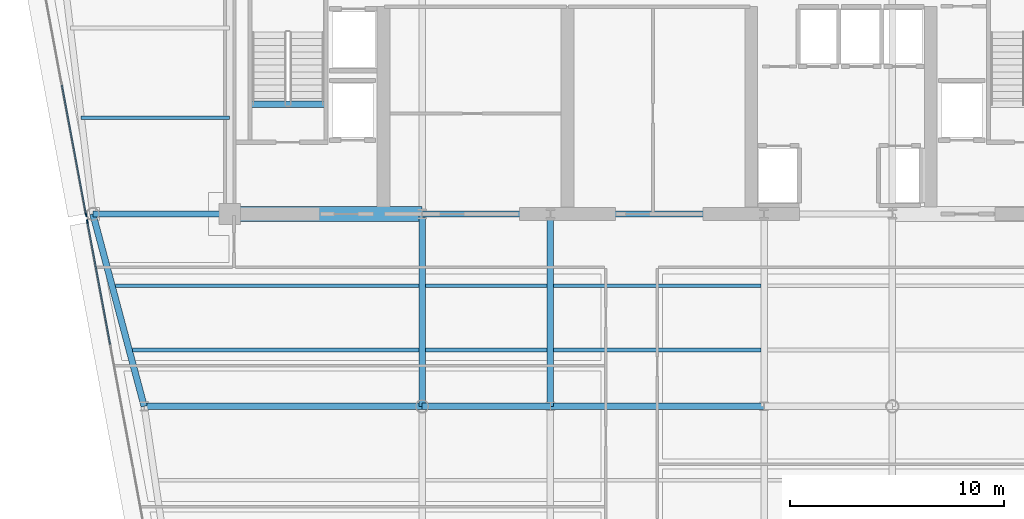
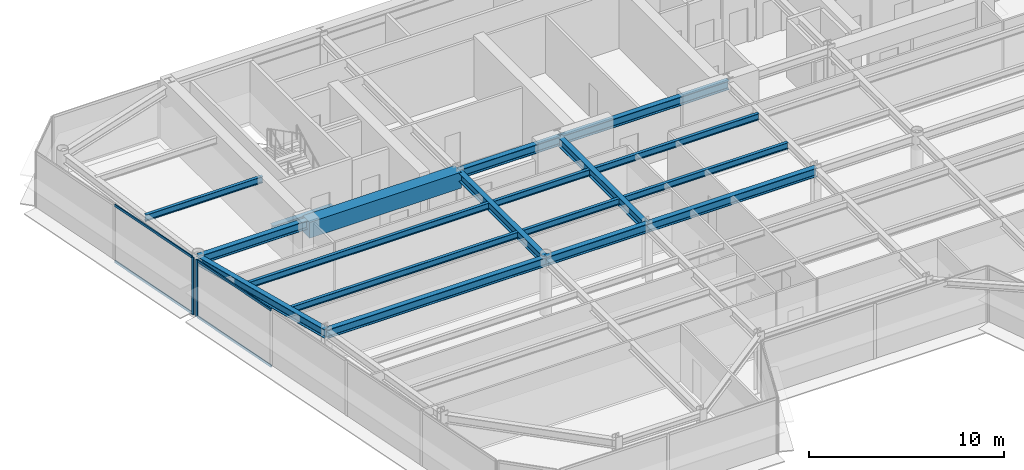
# One storey, part 4 of 18: 18 beams, 6 members, 2 elements without a shape of their own.
"""IFC4 building model written with IfcOpenShell, lengths in metres."""

from ifc_helpers import new_model, si_unit, direction, frame, origin, origin_2d, place, context, subcontext, project, spatial, rectangle, i_section, extrude, source, transform, mapped, material, layer, layer_set, material_profile, profile_set, type_object, element, aggregate, save


model = new_model("IFC4")

# Units and contexts
model_context = context("Model", 3, precision=1e-05, world=origin(), true_north=direction((0.0, 1.0)))
body_context = subcontext(model_context, "Body", "Model", "MODEL_VIEW")
ifc_project = project(units=[si_unit("LENGTHUNIT", "METRE"), si_unit("AREAUNIT", "SQUARE_METRE"), si_unit("VOLUMEUNIT", "CUBIC_METRE"), si_unit("PLANEANGLEUNIT", "RADIAN"), si_unit("MASSUNIT", "GRAM", prefix="KILO")], contexts=[model_context])

# Site, building, storey
site_placement = place(None, origin())
site = spatial("IfcSite", under=ifc_project, at=site_placement, CompositionType="ELEMENT")
building_placement = place(site_placement, origin())
building = spatial("IfcBuilding", under=site, at=building_placement, Name="Vaeldorn Concourse Tower", CompositionType="ELEMENT")
storey_placement = place(building_placement, frame((0.0, 0.0, 242.199951171875)))
storey = spatial("IfcBuildingStorey", under=building, at=storey_placement, Name="L62", CompositionType="ELEMENT", Elevation=242.199951171875)

# Beams
ifc_material_1 = material(Name="Concrete C50/60", Category="concrete")
ifc_material_profile_1 = material_profile(ifc_material_1, rectangle(XDim=0.699951171875, YDim=1.0, at=origin_2d()), Name="RC 700x1000")
ifc_profile_set_1 = profile_set([ifc_material_profile_1], Name="Concrete C50/60")
beam_type_1 = type_object("IfcBeamType", Name="BM-CB-RC700", PredefinedType="BEAM", material=ifc_profile_set_1)
shared_shape_1 = source(origin(), body_context, "Body", "SweptSolid", [
    extrude(rectangle(XDim=0.699951171875, YDim=1.0, at=origin_2d()), origin(), (0.0, 0.0, 1.0), 9.0),
])
beam_1_placement = place(storey_placement, frame((14.0, 36.5, 3.080078125), z_axis=(1.0, 0.0, 0.0), x_axis=(0.0, 1.0, 0.0)))
element("IfcBeam", 1, at=beam_1_placement, inside=storey, type_object=beam_type_1, Name="Core Coupling Beam L62-1", PredefinedType="BEAM", context=body_context, shape_type="MappedRepresentation", body=[
    mapped(shared_shape_1, transform((0.0, 0.0, 0.0), scale=1.0)),
])
ifc_material_2 = material(Name="Steel S355", Category="steel")
ifc_material_profile_2 = material_profile(ifc_material_2, i_section(OverallWidth=0.300048828125, OverallDepth=0.340087890625, WebThickness=0.011962890625, FlangeThickness=0.021484375, FilletRadius=0.027099609375, at=origin_2d()), Name="HEB 340")
ifc_profile_set_2 = profile_set([ifc_material_profile_2], Name="Steel S355")
beam_type_2 = type_object("IfcBeamType", Name="BM-ST-TRIM", PredefinedType="BEAM", material=ifc_profile_set_2)
shared_shape_2 = source(origin(), body_context, "Body", "SweptSolid", [
    extrude(i_section(OverallWidth=0.300048828125, OverallDepth=0.340087890625, WebThickness=0.011962890625, FlangeThickness=0.021484375, FilletRadius=0.027099609375, at=origin_2d()), origin(), (0.0, 0.0, 1.0), 3.590087890625),
])
beam_2_placement = place(storey_placement, frame((14.929931640625, 41.639892578125, -0.389892578125), z_axis=(1.0, 0.0, 0.0), x_axis=(0.0, 1.0, 0.0)))
element("IfcBeam", 2, at=beam_2_placement, inside=storey, type_object=beam_type_2, Name="Stair Landing Trimmer Beam ST-1 L62", PredefinedType="BEAM", context=body_context, shape_type="MappedRepresentation", body=[
    mapped(shared_shape_2, transform((0.0, 0.0, 0.0), scale=1.0)),
])
ifc_material_profile_3 = material_profile(ifc_material_2, i_section(OverallWidth=0.179931640625, OverallDepth=0.39990234375, WebThickness=0.008544921875, FlangeThickness=0.013427734375, FilletRadius=0.02099609375, at=origin_2d()), Name="IPE 400")
ifc_profile_set_3 = profile_set([ifc_material_profile_3], Name="Steel S355")
beam_type_3 = type_object("IfcBeamType", Name="BM-JS-IPE400", PredefinedType="JOIST", material=ifc_profile_set_3)
shared_shape_3 = source(origin(), body_context, "Body", "SweptSolid", [
    extrude(i_section(OverallWidth=0.179931640625, OverallDepth=0.39990234375, WebThickness=0.008544921875, FlangeThickness=0.013427734375, FilletRadius=0.02099609375, at=origin_2d()), origin(), (0.0, 0.0, 1.0), 5.7001953125),
])
for number, where, z_axis, x_axis, name in (
    (3, (23.14990234375, 30.139892578125, 3.380126953125), (1.0, 0.0, 0.0), (0.0, 1.0, 0.0), "Beam JS-L62-W2-301"),
    (4, (23.14990234375, 33.139892578125, 3.380126953125), (1.0, 0.0, 0.0), (0.0, 1.0, 0.0), "Beam JS-L62-W2-331"),
):
    element("IfcBeam", number, at=place(storey_placement, frame(where, z_axis=z_axis, x_axis=x_axis)), inside=storey, type_object=beam_type_3, Name=name, PredefinedType="JOIST", context=body_context, shape_type="MappedRepresentation", body=[
        mapped(shared_shape_3, transform((0.0, 0.0, 0.0), scale=1.0)),
    ])
shared_shape_4 = source(origin(), body_context, "Body", "SweptSolid", [
    extrude(i_section(OverallWidth=0.179931640625, OverallDepth=0.39990234375, WebThickness=0.008544921875, FlangeThickness=0.013427734375, FilletRadius=0.02099609375, at=origin_2d()), origin(), (0.0, 0.0, 1.0), 9.7001953125),
])
for number, where, z_axis, x_axis, name in (
    (5, (29.14990234375, 30.139892578125, 3.380126953125), (1.0, 0.0, 0.0), (0.0, 1.0, 0.0), "Beam JS-L62-C-301"),
    (6, (29.14990234375, 33.139892578125, 3.380126953125), (1.0, 0.0, 0.0), (0.0, 1.0, 0.0), "Beam JS-L62-C-331"),
):
    element("IfcBeam", number, at=place(storey_placement, frame(where, z_axis=z_axis, x_axis=x_axis)), inside=storey, type_object=beam_type_3, Name=name, PredefinedType="JOIST", context=body_context, shape_type="MappedRepresentation", body=[
        mapped(shared_shape_4, transform((0.0, 0.0, 0.0), scale=1.0)),
    ])
shared_shape_5 = source(origin(), body_context, "Body", "SweptSolid", [
    extrude(i_section(OverallWidth=0.179931640625, OverallDepth=0.39990234375, WebThickness=0.008544921875, FlangeThickness=0.013427734375, FilletRadius=0.02099609375, at=origin_2d()), origin(), (0.0, 0.0, 1.0), 6.94775390625),
])
beam_3_placement = place(storey_placement, frame((7.05224609375, 41.0, 3.380126953125), z_axis=(1.0, 0.0, 0.0), x_axis=(0.0, 1.0, 0.0)))
element("IfcBeam", 7, at=beam_3_placement, inside=storey, type_object=beam_type_3, Name="Beam JS-L62-NW-410", PredefinedType="JOIST", context=body_context, shape_type="MappedRepresentation", body=[
    mapped(shared_shape_5, transform((0.0, 0.0, 0.0), scale=1.0)),
])
shared_shape_6 = source(origin(), body_context, "Body", "SweptSolid", [
    extrude(i_section(OverallWidth=0.179931640625, OverallDepth=0.39990234375, WebThickness=0.008544921875, FlangeThickness=0.013427734375, FilletRadius=0.02099609375, at=origin_2d()), origin(), (0.0, 0.0, 1.0), 13.404052734375),
])
beam_4_placement = place(storey_placement, frame((9.446044921875, 30.139892578125, 3.380126953125), z_axis=(1.0, 0.0, 0.0), x_axis=(0.0, 1.0, 0.0)))
element("IfcBeam", 8, at=beam_4_placement, inside=storey, type_object=beam_type_3, Name="Beam JS-L62-W1-301", PredefinedType="JOIST", context=body_context, shape_type="MappedRepresentation", body=[
    mapped(shared_shape_6, transform((0.0, 0.0, 0.0), scale=1.0)),
])
shared_shape_7 = source(origin(), body_context, "Body", "SweptSolid", [
    extrude(i_section(OverallWidth=0.179931640625, OverallDepth=0.39990234375, WebThickness=0.008544921875, FlangeThickness=0.013427734375, FilletRadius=0.02099609375, at=origin_2d()), origin(), (0.0, 0.0, 1.0), 14.2041015625),
])
beam_5_placement = place(storey_placement, frame((8.64599609375, 33.139892578125, 3.380126953125), z_axis=(1.0, 0.0, 0.0), x_axis=(0.0, 1.0, 0.0)))
element("IfcBeam", 9, at=beam_5_placement, inside=storey, type_object=beam_type_3, Name="Beam JS-L62-W1-331", PredefinedType="JOIST", context=body_context, shape_type="MappedRepresentation", body=[
    mapped(shared_shape_7, transform((0.0, 0.0, 0.0), scale=1.0)),
])
ifc_material_profile_4 = material_profile(ifc_material_2, i_section(OverallWidth=0.300048828125, OverallDepth=0.550048828125, WebThickness=0.014892578125, FlangeThickness=0.029052734375, FilletRadius=0.027099609375, at=origin_2d()), Name="HEB 550")
ifc_profile_set_4 = profile_set([ifc_material_profile_4], Name="Steel S355")
beam_type_4 = type_object("IfcBeamType", Name="BM-PG-HEB550", PredefinedType="BEAM", material=ifc_profile_set_4)
shared_shape_8 = source(origin(), body_context, "Body", "SweptSolid", [
    extrude(i_section(OverallWidth=0.300048828125, OverallDepth=0.550048828125, WebThickness=0.014892578125, FlangeThickness=0.029052734375, FilletRadius=0.027099609375, at=origin_2d()), origin(), (0.0, 0.0, 1.0), 6.0),
])
for number, where, z_axis, x_axis, name in (
    (10, (23.0, 36.5, 3.304931640625), (1.0, 0.0, 0.0), (0.0, 1.0, 0.0), "Beam BM-L62-C-FC2-C-FC3"),
    (11, (23.0, 27.5, 3.304931640625), (1.0, 0.0, 0.0), (0.0, 1.0, 0.0), "Beam BM-L62-C-TW1-C-TW2"),
):
    element("IfcBeam", number, at=place(storey_placement, frame(where, z_axis=z_axis, x_axis=x_axis)), inside=storey, type_object=beam_type_4, Name=name, PredefinedType="BEAM", context=body_context, shape_type="MappedRepresentation", body=[
        mapped(shared_shape_8, transform((0.0, 0.0, 0.0), scale=1.0)),
    ])
shared_shape_9 = source(origin(), body_context, "Body", "SweptSolid", [
    extrude(i_section(OverallWidth=0.300048828125, OverallDepth=0.550048828125, WebThickness=0.014892578125, FlangeThickness=0.029052734375, FilletRadius=0.027099609375, at=origin_2d()), origin(), (0.0, 0.0, 1.0), 10.0),
])
for number, where, z_axis, x_axis, name in (
    (12, (29.0, 36.5, 3.304931640625), (1.0, 0.0, 0.0), (0.0, 1.0, 0.0), "Beam BM-L62-C-FC3-C-FC4"),
    (13, (29.0, 27.5, 3.304931640625), (1.0, 0.0, 0.0), (0.0, 1.0, 0.0), "Beam BM-L62-C-TW2-C-TW3"),
):
    element("IfcBeam", number, at=place(storey_placement, frame(where, z_axis=z_axis, x_axis=x_axis)), inside=storey, type_object=beam_type_4, Name=name, PredefinedType="BEAM", context=body_context, shape_type="MappedRepresentation", body=[
        mapped(shared_shape_9, transform((0.0, 0.0, 0.0), scale=1.0)),
    ])
shared_shape_10 = source(origin(), body_context, "Body", "SweptSolid", [
    extrude(i_section(OverallWidth=0.300048828125, OverallDepth=0.550048828125, WebThickness=0.014892578125, FlangeThickness=0.029052734375, FilletRadius=0.027099609375, at=origin_2d()), origin(), (0.0, 0.0, 1.0), 9.0),
])
for number, where, z_axis, x_axis, name in (
    (14, (23.0, 27.5, 3.304931640625), (0.0, 1.0, 0.0), (-1.0, 0.0, 0.0), "Beam BM-L62-C-TW1-C-FC2"),
    (15, (29.0, 27.5, 3.304931640625), (0.0, 1.0, 0.0), (-1.0, 0.0, 0.0), "Beam BM-L62-C-TW2-C-FC3"),
):
    element("IfcBeam", number, at=place(storey_placement, frame(where, z_axis=z_axis, x_axis=x_axis)), inside=storey, type_object=beam_type_4, Name=name, PredefinedType="BEAM", context=body_context, shape_type="MappedRepresentation", body=[
        mapped(shared_shape_10, transform((0.0, 0.0, 0.0), scale=1.0)),
    ])
shared_shape_11 = source(origin(), body_context, "Body", "SweptSolid", [
    extrude(i_section(OverallWidth=0.300048828125, OverallDepth=0.550048828125, WebThickness=0.014892578125, FlangeThickness=0.029052734375, FilletRadius=0.027099609375, at=origin_2d()), origin(), (0.0, 0.0, 1.0), 6.39990234375),
])
beam_6_placement = place(storey_placement, frame((7.60009765625, 36.5, 3.304931640625), z_axis=(1.0, 0.0, 0.0), x_axis=(0.0, 1.0, 0.0)))
element("IfcBeam", 16, at=beam_6_placement, inside=storey, type_object=beam_type_4, Name="Beam BM-L62-C-NW2-C-FC1", PredefinedType="BEAM", context=body_context, shape_type="MappedRepresentation", body=[
    mapped(shared_shape_11, transform((0.0, 0.0, 0.0), scale=1.0)),
])
shared_shape_12 = source(origin(), body_context, "Body", "SweptSolid", [
    extrude(i_section(OverallWidth=0.300048828125, OverallDepth=0.550048828125, WebThickness=0.014892578125, FlangeThickness=0.029052734375, FilletRadius=0.027099609375, at=origin_2d()), origin(), (0.0, 0.0, 1.0), 9.314453125),
])
beam_7_placement = place(storey_placement, frame((7.60009765625, 36.5, 3.304931640625), z_axis=(0.257652862255, -0.966237549763, 0.0), x_axis=(0.966237549763, 0.257652862255, 0.0)))
element("IfcBeam", 17, at=beam_7_placement, inside=storey, type_object=beam_type_4, Name="Beam BM-L62-C-NW2-C-FLW1", PredefinedType="BEAM", context=body_context, shape_type="MappedRepresentation", body=[
    mapped(shared_shape_12, transform((0.0, 0.0, 0.0), scale=1.0)),
])
shared_shape_13 = source(origin(), body_context, "Body", "SweptSolid", [
    extrude(i_section(OverallWidth=0.300048828125, OverallDepth=0.550048828125, WebThickness=0.014892578125, FlangeThickness=0.029052734375, FilletRadius=0.027099609375, at=origin_2d()), origin(), (0.0, 0.0, 1.0), 13.0),
])
beam_8_placement = place(storey_placement, frame((10.0, 27.5, 3.304931640625), z_axis=(1.0, 0.0, 0.0), x_axis=(0.0, 1.0, 0.0)))
element("IfcBeam", 18, at=beam_8_placement, inside=storey, type_object=beam_type_4, Name="Beam BM-L62-C-FLW1-C-TW1", PredefinedType="BEAM", context=body_context, shape_type="MappedRepresentation", body=[
    mapped(shared_shape_13, transform((0.0, 0.0, 0.0), scale=1.0)),
])

# Curtain wall, member
ifc_material_3 = material(Name="Anodised Bronze Aluminium", Category="aluminium")
ifc_layer = layer(ifc_material_3, 0.179931640625)
ifc_layer_set = layer_set([ifc_layer], Name="Anodised Bronze Aluminium")
curtain_wall_type = type_object("IfcCurtainWallType", Name="CW-SYS-05", PredefinedType="NOTDEFINED", material=ifc_layer_set)
curtain_wall_1_placement = place(storey_placement, origin())
curtain_wall_1 = element("IfcCurtainWall", 19, at=curtain_wall_1_placement, inside=storey, type_object=curtain_wall_type, Name="Unitised Curtain Wall CW-L62-E11-1", PredefinedType="NOTDEFINED")
ifc_material_profile_5 = material_profile(ifc_material_3, rectangle(XDim=0.06494140625, YDim=0.169921875, at=origin_2d()), Name="CWM 65x170")
ifc_profile_set_5 = profile_set([ifc_material_profile_5], Name="Anodised Bronze Aluminium")
member_type_1 = type_object("IfcMemberType", Name="CWM-BRONZE-170", PredefinedType="MULLION", material=ifc_profile_set_5)
shared_shape_14 = source(origin(), body_context, "Body", "SweptSolid", [
    extrude(rectangle(XDim=0.06494140625, YDim=0.169921875, at=origin_2d()), origin(), (0.0, 0.0, 1.0), 3.580078125),
])
member_1_placement = place(storey_placement, frame((7.279052734375, 36.460205078125, 0.0), z_axis=(0.0, 0.0, 1.0), x_axis=(0.983102768025, 0.183054493257, 0.0)))
member_1 = element("IfcMember", 20, at=member_1_placement, type_object=member_type_1, Name="CW-05 mullion 3", PredefinedType="MULLION", context=body_context, shape_type="MappedRepresentation", body=[
    mapped(shared_shape_14, transform((0.0, 0.0, 0.0), scale=1.0)),
])

# Curtain wall, members
curtain_wall_2_placement = place(storey_placement, origin())
curtain_wall_2 = element("IfcCurtainWall", 21, at=curtain_wall_2_placement, inside=storey, type_object=curtain_wall_type, Name="Unitised Curtain Wall CW-L62-E11-2", PredefinedType="NOTDEFINED")
member_2_placement = place(storey_placement, frame((7.336181640625, 36.153076171875, 0.0), z_axis=(0.0, 0.0, 1.0), x_axis=(0.983102653673, 0.18305510739, 0.0)))
member_2 = element("IfcMember", 22, at=member_2_placement, type_object=member_type_1, Name="CW-05 mullion 1", PredefinedType="MULLION", context=body_context, shape_type="MappedRepresentation", body=[
    mapped(shared_shape_14, transform((0.0, 0.0, 0.0), scale=1.0)),
])
ifc_material_profile_6 = material_profile(ifc_material_3, rectangle(XDim=0.06494140625, YDim=0.14990234375, at=origin_2d()), Name="CWT 65x150")
ifc_profile_set_6 = profile_set([ifc_material_profile_6], Name="Anodised Bronze Aluminium")
member_type_2 = type_object("IfcMemberType", Name="CWT-BRONZE-150", PredefinedType="USERDEFINED", material=ifc_profile_set_6)
shared_shape_15 = source(origin(), body_context, "Body", "SweptSolid", [
    extrude(rectangle(XDim=0.06494140625, YDim=0.14990234375, at=origin_2d()), origin(), (0.0, 0.0, 1.0), 5.82373046875),
])
member_3_placement = place(storey_placement, frame((7.34228515625, 36.12109375, 0.032470703125), z_axis=(0.183030414843, -0.983107251139, 0.0), x_axis=(0.983107251139, 0.183030414843, 0.0)))
member_3 = element("IfcMember", 23, at=member_3_placement, type_object=member_type_2, Name="CW-05 transom 1.1", ObjectType="TRANSOM", PredefinedType="USERDEFINED", context=body_context, shape_type="MappedRepresentation", body=[
    mapped(shared_shape_15, transform((0.0, 0.0, 0.0), scale=1.0)),
])
member_4_placement = place(storey_placement, frame((7.34228515625, 36.12109375, 3.547607421875), z_axis=(0.183030414843, -0.983107251139, 0.0), x_axis=(0.983107251139, 0.183030414843, 0.0)))
member_4 = element("IfcMember", 24, at=member_4_placement, type_object=member_type_2, Name="CW-05 transom 1.2", ObjectType="TRANSOM", PredefinedType="USERDEFINED", context=body_context, shape_type="MappedRepresentation", body=[
    mapped(shared_shape_15, transform((0.0, 0.0, 0.0), scale=1.0)),
])
aggregate(curtain_wall_2, [member_2, member_3, member_4])

# Member
shared_shape_16 = source(origin(), body_context, "Body", "SweptSolid", [
    extrude(rectangle(XDim=0.06494140625, YDim=0.14990234375, at=origin_2d()), origin(), (0.0, 0.0, 1.0), 6.143798828125),
])
member_5_placement = place(storey_placement, frame((6.1484375, 42.5322265625, 0.032470703125), z_axis=(0.183069583935, -0.983099958009, 0.0), x_axis=(0.983099958009, 0.183069583935, 0.0)))
member_5 = element("IfcMember", 25, at=member_5_placement, type_object=member_type_2, Name="CW-05 transom 2.1", ObjectType="TRANSOM", PredefinedType="USERDEFINED", context=body_context, shape_type="MappedRepresentation", body=[
    mapped(shared_shape_16, transform((0.0, 0.0, 0.0), scale=1.0)),
])

member_6_placement = place(storey_placement, frame((6.1484375, 42.5322265625, 3.547607421875), z_axis=(0.183069583935, -0.983099958009, 0.0), x_axis=(0.983099958009, 0.183069583935, 0.0)))
member_6 = element("IfcMember", 26, at=member_6_placement, type_object=member_type_2, Name="CW-05 transom 2.2", ObjectType="TRANSOM", PredefinedType="USERDEFINED", context=body_context, shape_type="MappedRepresentation", body=[
    mapped(shared_shape_16, transform((0.0, 0.0, 0.0), scale=1.0)),
])

aggregate(curtain_wall_1, [member_1, member_5, member_6])

save(model, "model.ifc")
